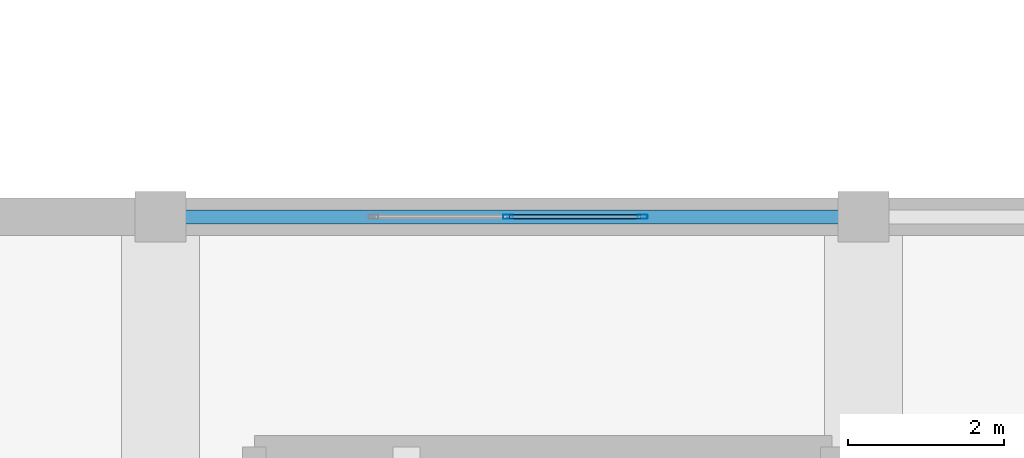
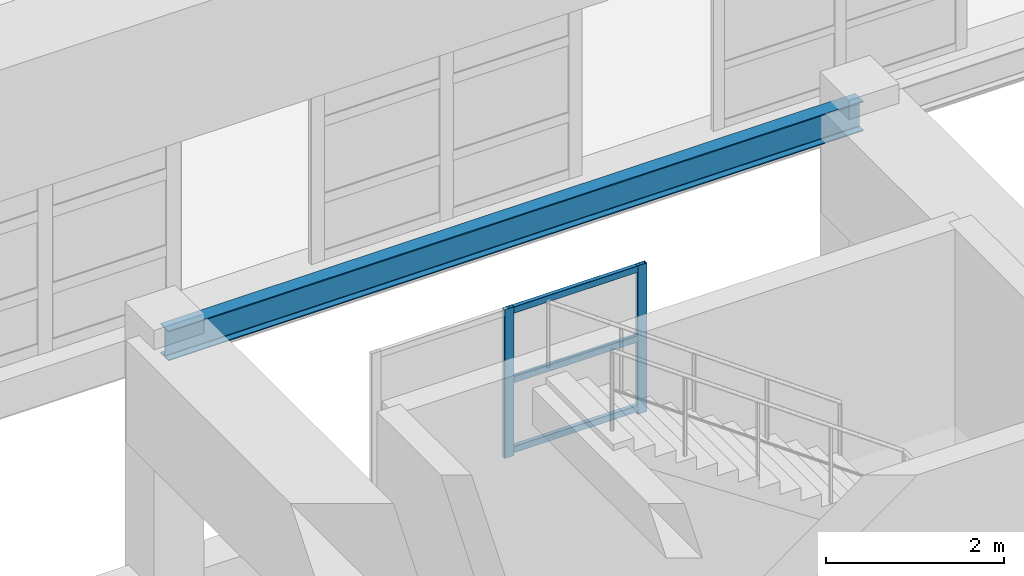
# One storey, part 28 of 197: 5 members, 1 beam, 1 element without a shape of its own.
"""IFC4 building model written with IfcOpenShell, lengths in metres."""

from ifc_helpers import new_model, si_unit, derived_unit, direction, frame, origin, origin_2d, place, context, subcontext, project, spatial, hollow_rectangle, i_section, extrude, material, layer, layer_set, material_profile, profile_set, type_object, element, aggregate, save


model = new_model("IFC4")

# Units and contexts
model_context = context("Model", 3, precision=1e-05, world=origin(), true_north=direction((0.0, 1.0)))
body_context = subcontext(model_context, "Body", "Model", "MODEL_VIEW")
ifc_project = project(units=[si_unit("LENGTHUNIT", "METRE"), si_unit("AREAUNIT", "SQUARE_METRE"), si_unit("VOLUMEUNIT", "CUBIC_METRE"), si_unit("PLANEANGLEUNIT", "RADIAN"), si_unit("MASSUNIT", "GRAM", prefix="KILO"), derived_unit("THERMALTRANSMITTANCEUNIT", [(si_unit("POWERUNIT", "WATT"), 1), (si_unit("LENGTHUNIT", "METRE"), -2), (si_unit("THERMODYNAMICTEMPERATUREUNIT", "KELVIN"), -1)])], contexts=[model_context])

# Site, building, storey
site_placement = place(None, origin())
site = spatial("IfcSite", under=ifc_project, at=site_placement, CompositionType="ELEMENT")
building_placement = place(site_placement, origin())
building = spatial("IfcBuilding", under=site, at=building_placement, Name="Almenara Railside Exhibition Hall", CompositionType="ELEMENT")
storey_placement = place(building_placement, frame((0.0, 0.0, 5.39990234375)))
storey = spatial("IfcBuildingStorey", under=building, at=storey_placement, Name="L01", CompositionType="ELEMENT", Elevation=5.39990234375)

# Curtain wall, members
ifc_material_1 = material(Name="Bronze-anodised aluminium and low-E double glazing", Category="aluminium")
ifc_layer = layer(ifc_material_1, 0.179931640625, Name="Bronze-anodised aluminium and low-E double glazing")
ifc_layer_set = layer_set([ifc_layer], Name="Bronze-anodised aluminium and low-E double glazing")
curtain_wall_type = type_object("IfcCurtainWallType", Name="Plenary Clerestory Curtain Wall 3500x2000", PredefinedType="NOTDEFINED", material=ifc_layer_set)
curtain_wall_placement = place(storey_placement, origin())
curtain_wall = element("IfcCurtainWall", 1, at=curtain_wall_placement, inside=storey, type_object=curtain_wall_type, Name="Curtain wall CW-CL5-102", PredefinedType="NOTDEFINED")
ifc_material_2 = material(Name="Bronze-anodised aluminium", Category="aluminium")
ifc_material_profile_1 = material_profile(ifc_material_2, hollow_rectangle(XDim=0.054931640625, YDim=0.125, WallThickness=0.0029296875, InnerFilletRadius=0.0029296875, OuterFilletRadius=0.006103515625, at=origin_2d()), Name="ALU-MUL 55x125x3")
ifc_profile_set_1 = profile_set([ifc_material_profile_1], Name="Bronze-anodised aluminium")
member_type_1 = type_object("IfcMemberType", Name="Curtain Wall Mullion 55x125x3", PredefinedType="MULLION", material=ifc_profile_set_1)
member_1_placement = place(storey_placement, frame((43.449951171875, 42.0, 1.815185546875), z_axis=(0.0, 0.0, 1.0), x_axis=(0.0, 1.0, 0.0)))
member_1 = element("IfcMember", 2, at=member_1_placement, type_object=member_type_1, Name="CW-CL5-102 mullion 2", PredefinedType="MULLION", context=body_context, shape_type="SweptSolid", body=[
    extrude(hollow_rectangle(XDim=0.054931640625, YDim=0.125, WallThickness=0.0029296875, InnerFilletRadius=0.0029296875, OuterFilletRadius=0.006103515625, at=origin_2d()), origin(), (0.0, 0.0, 1.0), 2.034912109375),
])
member_2_placement = place(storey_placement, frame((45.172607421875, 42.0, 1.815185546875), z_axis=(0.0, 0.0, 1.0), x_axis=(0.0, 1.0, 0.0)))
member_2 = element("IfcMember", 3, at=member_2_placement, type_object=member_type_1, Name="CW-CL5-102 mullion 3", PredefinedType="MULLION", context=body_context, shape_type="SweptSolid", body=[
    extrude(hollow_rectangle(XDim=0.054931640625, YDim=0.125, WallThickness=0.0029296875, InnerFilletRadius=0.0029296875, OuterFilletRadius=0.006103515625, at=origin_2d()), origin(), (0.0, 0.0, 1.0), 2.034912109375),
])
ifc_material_profile_2 = material_profile(ifc_material_2, hollow_rectangle(XDim=0.054931640625, YDim=0.090087890625, WallThickness=0.0029296875, InnerFilletRadius=0.0029296875, OuterFilletRadius=0.006103515625, at=origin_2d()), Name="ALU-TRN 55x90x3")
ifc_profile_set_2 = profile_set([ifc_material_profile_2], Name="Bronze-anodised aluminium")
member_type_2 = type_object("IfcMemberType", Name="Curtain Wall Transom 55x90x3", PredefinedType="USERDEFINED", material=ifc_profile_set_2)
member_3_placement = place(storey_placement, frame((43.469482421875, 42.0, 1.89501953125), z_axis=(1.0, 0.0, 0.0), x_axis=(0.0, 1.0, 0.0)))
member_3 = element("IfcMember", 4, at=member_3_placement, type_object=member_type_2, Name="CW-CL5-102 transom 2.1", ObjectType="TRANSOM", PredefinedType="USERDEFINED", context=body_context, shape_type="SweptSolid", body=[
    extrude(hollow_rectangle(XDim=0.054931640625, YDim=0.090087890625, WallThickness=0.0029296875, InnerFilletRadius=0.0029296875, OuterFilletRadius=0.006103515625, at=origin_2d()), origin(), (0.0, 0.0, 1.0), 1.68359375),
])
member_4_placement = place(storey_placement, frame((43.469482421875, 42.0, 2.85009765625), z_axis=(1.0, 0.0, 0.0), x_axis=(0.0, 1.0, 0.0)))
member_4 = element("IfcMember", 5, at=member_4_placement, type_object=member_type_2, Name="CW-CL5-102 transom 2.2", ObjectType="TRANSOM", PredefinedType="USERDEFINED", context=body_context, shape_type="SweptSolid", body=[
    extrude(hollow_rectangle(XDim=0.054931640625, YDim=0.090087890625, WallThickness=0.0029296875, InnerFilletRadius=0.0029296875, OuterFilletRadius=0.006103515625, at=origin_2d()), origin(), (0.0, 0.0, 1.0), 1.68359375),
])
member_5_placement = place(storey_placement, frame((43.469482421875, 42.0, 3.80517578125), z_axis=(1.0, 0.0, 0.0), x_axis=(0.0, 1.0, 0.0)))
member_5 = element("IfcMember", 6, at=member_5_placement, type_object=member_type_2, Name="CW-CL5-102 transom 2.3", ObjectType="TRANSOM", PredefinedType="USERDEFINED", context=body_context, shape_type="SweptSolid", body=[
    extrude(hollow_rectangle(XDim=0.054931640625, YDim=0.090087890625, WallThickness=0.0029296875, InnerFilletRadius=0.0029296875, OuterFilletRadius=0.006103515625, at=origin_2d()), origin(), (0.0, 0.0, 1.0), 1.68359375),
])
aggregate(curtain_wall, [member_1, member_2, member_3, member_4, member_5])

# Beam
ifc_material_3 = material(Name="Structural steel S355JR", Category="steel")
ifc_material_profile_3 = material_profile(ifc_material_3, i_section(OverallWidth=0.1787109375, OverallDepth=0.409423828125, WebThickness=0.0087890625, FlangeThickness=0.014404296875, FilletRadius=0.01025390625, at=origin_2d()), Name="UB 406x178x67")
ifc_profile_set_3 = profile_set([ifc_material_profile_3], Name="Structural steel S355JR")
beam_type = type_object("IfcBeamType", Name="Steel Plenary Joist UB 406x178x67 S355JR", PredefinedType="JOIST", material=ifc_profile_set_3)
beam_placement = place(storey_placement, frame((39.0, 42.0, 4.931396484375), z_axis=(1.0, 0.0, 0.0), x_axis=(0.0, 1.0, 0.0)))
element("IfcBeam", 7, at=beam_placement, inside=storey, type_object=beam_type, Name="Beam 0908", PredefinedType="JOIST", context=body_context, shape_type="SweptSolid", body=[
    extrude(i_section(OverallWidth=0.1787109375, OverallDepth=0.409423828125, WebThickness=0.0087890625, FlangeThickness=0.014404296875, FilletRadius=0.01025390625, at=origin_2d()), origin(), (0.0, 0.0, 1.0), 9.0),
])

save(model, "model.ifc")
